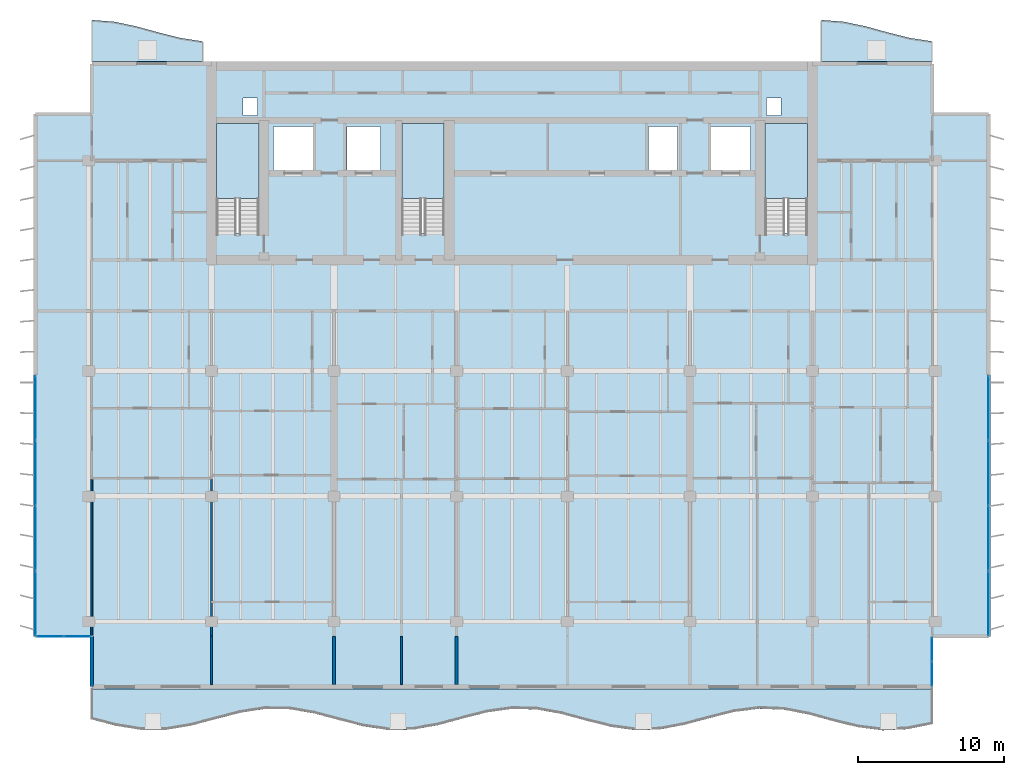
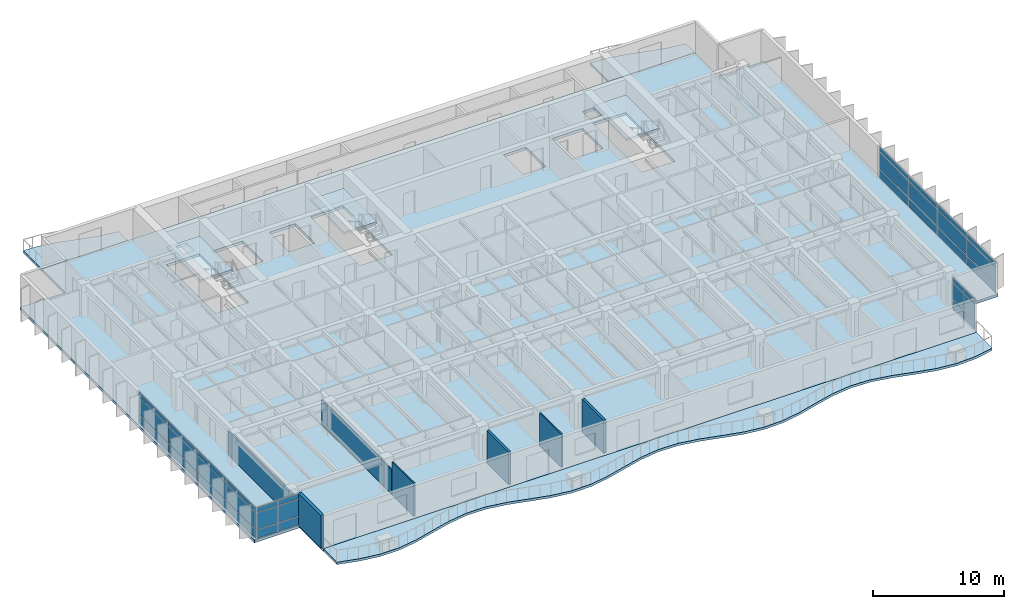
# One storey, part 7 of 19: 36 plates, 7 slabs, 7 walls, 7 elements without a shape of their own.
"""IFC4 building model written with IfcOpenShell, lengths in metres."""

from ifc_helpers import new_model, si_unit, direction, frame, frame_2d, origin, origin_2d, place, context, subcontext, project, spatial, polyline, rectangle, outline, extrude, material, layer, layer_set, type_object, element, aggregate, save


model = new_model("IFC4")

# Units and contexts
model_context = context("Model", 3, precision=1e-05, world=origin(), true_north=direction((0.0, 1.0)))
body_context = subcontext(model_context, "Body", "Model", "MODEL_VIEW")
ifc_project = project(units=[si_unit("LENGTHUNIT", "METRE"), si_unit("AREAUNIT", "SQUARE_METRE"), si_unit("VOLUMEUNIT", "CUBIC_METRE"), si_unit("PLANEANGLEUNIT", "RADIAN"), si_unit("MASSUNIT", "GRAM", prefix="KILO")], contexts=[model_context])

# Site, building, storey
site_placement = place(None, origin())
site = spatial("IfcSite", under=ifc_project, at=site_placement, CompositionType="ELEMENT")
building_placement = place(site_placement, origin())
building = spatial("IfcBuilding", under=site, at=building_placement, Name="Caelmar Bay Residences", CompositionType="ELEMENT")
storey_placement = place(building_placement, frame((0.0, 0.0, 191.699951171875)))
storey = spatial("IfcBuildingStorey", under=building, at=storey_placement, Name="L53", CompositionType="ELEMENT", Elevation=191.699951171875)

# Curtain wall, plates
ifc_material_1 = material(Name="Anodised bronze aluminium 6063-T6 and laminated glass", Category="aluminium")
ifc_layer_1 = layer(ifc_material_1, 0.179931640625)
ifc_layer_set_1 = layer_set([ifc_layer_1], Name="Anodised bronze aluminium 6063-T6 and laminated glass")
curtain_wall_type_1 = type_object("IfcCurtainWallType", Name="CW6-NTC", PredefinedType="NOTDEFINED", material=ifc_layer_set_1)
curtain_wall_1_placement = place(storey_placement, origin())
curtain_wall_1 = element("IfcCurtainWall", 1, at=curtain_wall_1_placement, inside=storey, type_object=curtain_wall_type_1, Name="CW6 curtain wall L53", PredefinedType="NOTDEFINED")
ifc_material_2 = material(Name="Bronze-tinted laminated low-E hurricane glass 28 mm", Category="glass")
ifc_layer_2 = layer(ifc_material_2, 0.028076171875)
ifc_layer_set_2 = layer_set([ifc_layer_2], Name="Bronze-tinted laminated low-E hurricane glass 28 mm")
plate_type = type_object("IfcPlateType", Name="CWP-GLZ28", PredefinedType="CURTAIN_PANEL", material=ifc_layer_set_2)
plate_1_placement = place(storey_placement, frame((7.232421875, 11.199951171875, 0.080078125), z_axis=(0.0, 0.0, 1.0), x_axis=(1.0, 0.0, 0.0)))
plate_1 = element("IfcPlate", 2, at=plate_1_placement, type_object=plate_type, Name="CW6 panel 1.1", PredefinedType="CURTAIN_PANEL", context=body_context, shape_type="SweptSolid", body=[
    extrude(rectangle(XDim=1.804931640625, YDim=0.028076171875, at=origin_2d()), origin(), (0.0, 0.0, 1.0), 0.780029296875),
])
plate_2_placement = place(storey_placement, frame((7.232421875, 11.199951171875, 0.93994140625), z_axis=(0.0, 0.0, 1.0), x_axis=(1.0, 0.0, 0.0)))
plate_2 = element("IfcPlate", 3, at=plate_2_placement, type_object=plate_type, Name="CW6 panel 1.2", PredefinedType="CURTAIN_PANEL", context=body_context, shape_type="SweptSolid", body=[
    extrude(rectangle(XDim=1.804931640625, YDim=0.028076171875, at=origin_2d()), origin(), (0.0, 0.0, 1.0), 1.52001953125),
])
plate_3_placement = place(storey_placement, frame((7.232421875, 11.199951171875, 2.5400390625), z_axis=(0.0, 0.0, 1.0), x_axis=(1.0, 0.0, 0.0)))
plate_3 = element("IfcPlate", 4, at=plate_3_placement, type_object=plate_type, Name="CW6 panel 1.3", PredefinedType="CURTAIN_PANEL", context=body_context, shape_type="SweptSolid", body=[
    extrude(rectangle(XDim=1.804931640625, YDim=0.028076171875, at=origin_2d()), origin(), (0.0, 0.0, 1.0), 0.429931640625),
])
plate_4_placement = place(storey_placement, frame((9.117431640625, 11.199951171875, 0.080078125), z_axis=(0.0, 0.0, 1.0), x_axis=(1.0, 0.0, 0.0)))
plate_4 = element("IfcPlate", 5, at=plate_4_placement, type_object=plate_type, Name="CW6 panel 2.1", PredefinedType="CURTAIN_PANEL", context=body_context, shape_type="SweptSolid", body=[
    extrude(rectangle(XDim=1.804931640625, YDim=0.028076171875, at=origin_2d()), origin(), (0.0, 0.0, 1.0), 0.780029296875),
])
plate_5_placement = place(storey_placement, frame((9.117431640625, 11.199951171875, 0.93994140625), z_axis=(0.0, 0.0, 1.0), x_axis=(1.0, 0.0, 0.0)))
plate_5 = element("IfcPlate", 6, at=plate_5_placement, type_object=plate_type, Name="CW6 panel 2.2", PredefinedType="CURTAIN_PANEL", context=body_context, shape_type="SweptSolid", body=[
    extrude(rectangle(XDim=1.804931640625, YDim=0.028076171875, at=origin_2d()), origin(), (0.0, 0.0, 1.0), 1.52001953125),
])
plate_6_placement = place(storey_placement, frame((9.117431640625, 11.199951171875, 2.5400390625), z_axis=(0.0, 0.0, 1.0), x_axis=(1.0, 0.0, 0.0)))
plate_6 = element("IfcPlate", 7, at=plate_6_placement, type_object=plate_type, Name="CW6 panel 2.3", PredefinedType="CURTAIN_PANEL", context=body_context, shape_type="SweptSolid", body=[
    extrude(rectangle(XDim=1.804931640625, YDim=0.028076171875, at=origin_2d()), origin(), (0.0, 0.0, 1.0), 0.429931640625),
])
aggregate(curtain_wall_1, [plate_1, plate_2, plate_3, plate_4, plate_5, plate_6])

curtain_wall_2_placement = place(storey_placement, origin())
curtain_wall_2 = element("IfcCurtainWall", 8, at=curtain_wall_2_placement, inside=storey, type_object=curtain_wall_type_1, Name="CW6 curtain wall L53", PredefinedType="NOTDEFINED")
plate_7_placement = place(storey_placement, frame((67.699951171875, 8.632568359375, 0.080078125), z_axis=(0.0, 0.0, 1.0), x_axis=(0.0, 1.0, 0.0)))
plate_7 = element("IfcPlate", 9, at=plate_7_placement, type_object=plate_type, Name="CW6 panel 1.1", PredefinedType="CURTAIN_PANEL", context=body_context, shape_type="SweptSolid", body=[
    extrude(rectangle(XDim=1.60498046875, YDim=0.028076171875, at=origin_2d()), origin(), (0.0, 0.0, 1.0), 0.780029296875),
])
plate_8_placement = place(storey_placement, frame((67.699951171875, 8.632568359375, 0.93994140625), z_axis=(0.0, 0.0, 1.0), x_axis=(0.0, 1.0, 0.0)))
plate_8 = element("IfcPlate", 10, at=plate_8_placement, type_object=plate_type, Name="CW6 panel 1.2", PredefinedType="CURTAIN_PANEL", context=body_context, shape_type="SweptSolid", body=[
    extrude(rectangle(XDim=1.60498046875, YDim=0.028076171875, at=origin_2d()), origin(), (0.0, 0.0, 1.0), 1.52001953125),
])
plate_9_placement = place(storey_placement, frame((67.699951171875, 8.632568359375, 2.5400390625), z_axis=(0.0, 0.0, 1.0), x_axis=(0.0, 1.0, 0.0)))
plate_9 = element("IfcPlate", 11, at=plate_9_placement, type_object=plate_type, Name="CW6 panel 1.3", PredefinedType="CURTAIN_PANEL", context=body_context, shape_type="SweptSolid", body=[
    extrude(rectangle(XDim=1.60498046875, YDim=0.028076171875, at=origin_2d()), origin(), (0.0, 0.0, 1.0), 0.429931640625),
])
plate_10_placement = place(storey_placement, frame((67.699951171875, 10.3173828125, 0.080078125), z_axis=(0.0, 0.0, 1.0), x_axis=(0.0, 1.0, 0.0)))
plate_10 = element("IfcPlate", 12, at=plate_10_placement, type_object=plate_type, Name="CW6 panel 2.1", PredefinedType="CURTAIN_PANEL", context=body_context, shape_type="SweptSolid", body=[
    extrude(rectangle(XDim=1.60498046875, YDim=0.028076171875, at=origin_2d()), origin(), (0.0, 0.0, 1.0), 0.780029296875),
])
plate_11_placement = place(storey_placement, frame((67.699951171875, 10.3173828125, 0.93994140625), z_axis=(0.0, 0.0, 1.0), x_axis=(0.0, 1.0, 0.0)))
plate_11 = element("IfcPlate", 13, at=plate_11_placement, type_object=plate_type, Name="CW6 panel 2.2", PredefinedType="CURTAIN_PANEL", context=body_context, shape_type="SweptSolid", body=[
    extrude(rectangle(XDim=1.60498046875, YDim=0.028076171875, at=origin_2d()), origin(), (0.0, 0.0, 1.0), 1.52001953125),
])
plate_12_placement = place(storey_placement, frame((67.699951171875, 10.3173828125, 2.5400390625), z_axis=(0.0, 0.0, 1.0), x_axis=(0.0, 1.0, 0.0)))
plate_12 = element("IfcPlate", 14, at=plate_12_placement, type_object=plate_type, Name="CW6 panel 2.3", PredefinedType="CURTAIN_PANEL", context=body_context, shape_type="SweptSolid", body=[
    extrude(rectangle(XDim=1.60498046875, YDim=0.028076171875, at=origin_2d()), origin(), (0.0, 0.0, 1.0), 0.429931640625),
])
aggregate(curtain_wall_2, [plate_7, plate_8, plate_9, plate_10, plate_11, plate_12])

ifc_layer_3 = layer(ifc_material_1, 0.179931640625)
ifc_layer_set_3 = layer_set([ifc_layer_3], Name="Anodised bronze aluminium 6063-T6 and laminated glass")
curtain_wall_type_2 = type_object("IfcCurtainWallType", Name="CW4-Z3", PredefinedType="NOTDEFINED", material=ifc_layer_set_3)
curtain_wall_3_placement = place(storey_placement, origin())
curtain_wall_3 = element("IfcCurtainWall", 15, at=curtain_wall_3_placement, inside=storey, type_object=curtain_wall_type_2, Name="CW4 curtain wall L53", PredefinedType="NOTDEFINED")
plate_13_placement = place(storey_placement, frame((6.25, 13.45751953125, 0.080078125), z_axis=(0.0, 0.0, 1.0), x_axis=(0.0, 1.0, 0.0)))
plate_13 = element("IfcPlate", 16, at=plate_13_placement, type_object=plate_type, Name="CW4 panel 1.1", PredefinedType="CURTAIN_PANEL", context=body_context, shape_type="SweptSolid", body=[
    extrude(rectangle(XDim=4.35498046875, YDim=0.028076171875, at=origin_2d()), origin(), (0.0, 0.0, 1.0), 0.780029296875),
])
plate_14_placement = place(storey_placement, frame((6.25, 13.45751953125, 0.93994140625), z_axis=(0.0, 0.0, 1.0), x_axis=(0.0, 1.0, 0.0)))
plate_14 = element("IfcPlate", 17, at=plate_14_placement, type_object=plate_type, Name="CW4 panel 1.2", PredefinedType="CURTAIN_PANEL", context=body_context, shape_type="SweptSolid", body=[
    extrude(rectangle(XDim=4.35498046875, YDim=0.028076171875, at=origin_2d()), origin(), (0.0, 0.0, 1.0), 1.52001953125),
])
plate_15_placement = place(storey_placement, frame((6.25, 13.45751953125, 2.5400390625), z_axis=(0.0, 0.0, 1.0), x_axis=(0.0, 1.0, 0.0)))
plate_15 = element("IfcPlate", 18, at=plate_15_placement, type_object=plate_type, Name="CW4 panel 1.3", PredefinedType="CURTAIN_PANEL", context=body_context, shape_type="SweptSolid", body=[
    extrude(rectangle(XDim=4.35498046875, YDim=0.028076171875, at=origin_2d()), origin(), (0.0, 0.0, 1.0), 0.429931640625),
])
plate_16_placement = place(storey_placement, frame((6.25, 17.91259765625, 0.080078125), z_axis=(0.0, 0.0, 1.0), x_axis=(0.0, 1.0, 0.0)))
plate_16 = element("IfcPlate", 19, at=plate_16_placement, type_object=plate_type, Name="CW4 panel 2.1", PredefinedType="CURTAIN_PANEL", context=body_context, shape_type="SweptSolid", body=[
    extrude(rectangle(XDim=4.39501953125, YDim=0.028076171875, at=origin_2d()), origin(), (0.0, 0.0, 1.0), 0.780029296875),
])
plate_17_placement = place(storey_placement, frame((6.25, 17.91259765625, 0.93994140625), z_axis=(0.0, 0.0, 1.0), x_axis=(0.0, 1.0, 0.0)))
plate_17 = element("IfcPlate", 20, at=plate_17_placement, type_object=plate_type, Name="CW4 panel 2.2", PredefinedType="CURTAIN_PANEL", context=body_context, shape_type="SweptSolid", body=[
    extrude(rectangle(XDim=4.39501953125, YDim=0.028076171875, at=origin_2d()), origin(), (0.0, 0.0, 1.0), 1.52001953125),
])
plate_18_placement = place(storey_placement, frame((6.25, 17.91259765625, 2.5400390625), z_axis=(0.0, 0.0, 1.0), x_axis=(0.0, 1.0, 0.0)))
plate_18 = element("IfcPlate", 21, at=plate_18_placement, type_object=plate_type, Name="CW4 panel 2.3", PredefinedType="CURTAIN_PANEL", context=body_context, shape_type="SweptSolid", body=[
    extrude(rectangle(XDim=4.39501953125, YDim=0.028076171875, at=origin_2d()), origin(), (0.0, 0.0, 1.0), 0.429931640625),
])
plate_19_placement = place(storey_placement, frame((6.25, 22.387451171875, 0.080078125), z_axis=(0.0, 0.0, 1.0), x_axis=(0.0, 1.0, 0.0)))
plate_19 = element("IfcPlate", 22, at=plate_19_placement, type_object=plate_type, Name="CW4 panel 3.1", PredefinedType="CURTAIN_PANEL", context=body_context, shape_type="SweptSolid", body=[
    extrude(rectangle(XDim=4.39501953125, YDim=0.028076171875, at=origin_2d()), origin(), (0.0, 0.0, 1.0), 0.780029296875),
])
plate_20_placement = place(storey_placement, frame((6.25, 22.387451171875, 0.93994140625), z_axis=(0.0, 0.0, 1.0), x_axis=(0.0, 1.0, 0.0)))
plate_20 = element("IfcPlate", 23, at=plate_20_placement, type_object=plate_type, Name="CW4 panel 3.2", PredefinedType="CURTAIN_PANEL", context=body_context, shape_type="SweptSolid", body=[
    extrude(rectangle(XDim=4.39501953125, YDim=0.028076171875, at=origin_2d()), origin(), (0.0, 0.0, 1.0), 1.52001953125),
])
plate_21_placement = place(storey_placement, frame((6.25, 22.387451171875, 2.5400390625), z_axis=(0.0, 0.0, 1.0), x_axis=(0.0, 1.0, 0.0)))
plate_21 = element("IfcPlate", 24, at=plate_21_placement, type_object=plate_type, Name="CW4 panel 3.3", PredefinedType="CURTAIN_PANEL", context=body_context, shape_type="SweptSolid", body=[
    extrude(rectangle(XDim=4.39501953125, YDim=0.028076171875, at=origin_2d()), origin(), (0.0, 0.0, 1.0), 0.429931640625),
])
plate_22_placement = place(storey_placement, frame((6.25, 26.842529296875, 0.080078125), z_axis=(0.0, 0.0, 1.0), x_axis=(0.0, 1.0, 0.0)))
plate_22 = element("IfcPlate", 25, at=plate_22_placement, type_object=plate_type, Name="CW4 panel 4.1", PredefinedType="CURTAIN_PANEL", context=body_context, shape_type="SweptSolid", body=[
    extrude(rectangle(XDim=4.35498046875, YDim=0.028076171875, at=origin_2d()), origin(), (0.0, 0.0, 1.0), 0.780029296875),
])
plate_23_placement = place(storey_placement, frame((6.25, 26.842529296875, 0.93994140625), z_axis=(0.0, 0.0, 1.0), x_axis=(0.0, 1.0, 0.0)))
plate_23 = element("IfcPlate", 26, at=plate_23_placement, type_object=plate_type, Name="CW4 panel 4.2", PredefinedType="CURTAIN_PANEL", context=body_context, shape_type="SweptSolid", body=[
    extrude(rectangle(XDim=4.35498046875, YDim=0.028076171875, at=origin_2d()), origin(), (0.0, 0.0, 1.0), 1.52001953125),
])
plate_24_placement = place(storey_placement, frame((6.25, 26.842529296875, 2.5400390625), z_axis=(0.0, 0.0, 1.0), x_axis=(0.0, 1.0, 0.0)))
plate_24 = element("IfcPlate", 27, at=plate_24_placement, type_object=plate_type, Name="CW4 panel 4.3", PredefinedType="CURTAIN_PANEL", context=body_context, shape_type="SweptSolid", body=[
    extrude(rectangle(XDim=4.35498046875, YDim=0.028076171875, at=origin_2d()), origin(), (0.0, 0.0, 1.0), 0.429931640625),
])
aggregate(curtain_wall_3, [plate_13, plate_14, plate_15, plate_16, plate_17, plate_18, plate_19, plate_20, plate_21, plate_22, plate_23, plate_24])

curtain_wall_4_placement = place(storey_placement, origin())
curtain_wall_4 = element("IfcCurtainWall", 28, at=curtain_wall_4_placement, inside=storey, type_object=curtain_wall_type_2, Name="CW4 curtain wall L53", PredefinedType="NOTDEFINED")
plate_25_placement = place(storey_placement, frame((71.550048828125, 26.842529296875, 0.080078125), z_axis=(0.0, 0.0, 1.0), x_axis=(0.0, -1.0, 0.0)))
plate_25 = element("IfcPlate", 29, at=plate_25_placement, type_object=plate_type, Name="CW4 panel 1.1", PredefinedType="CURTAIN_PANEL", context=body_context, shape_type="SweptSolid", body=[
    extrude(rectangle(XDim=4.35498046875, YDim=0.028076171875, at=origin_2d()), origin(), (0.0, 0.0, 1.0), 0.780029296875),
])
plate_26_placement = place(storey_placement, frame((71.550048828125, 26.842529296875, 0.93994140625), z_axis=(0.0, 0.0, 1.0), x_axis=(0.0, -1.0, 0.0)))
plate_26 = element("IfcPlate", 30, at=plate_26_placement, type_object=plate_type, Name="CW4 panel 1.2", PredefinedType="CURTAIN_PANEL", context=body_context, shape_type="SweptSolid", body=[
    extrude(rectangle(XDim=4.35498046875, YDim=0.028076171875, at=origin_2d()), origin(), (0.0, 0.0, 1.0), 1.52001953125),
])
plate_27_placement = place(storey_placement, frame((71.550048828125, 26.842529296875, 2.5400390625), z_axis=(0.0, 0.0, 1.0), x_axis=(0.0, -1.0, 0.0)))
plate_27 = element("IfcPlate", 31, at=plate_27_placement, type_object=plate_type, Name="CW4 panel 1.3", PredefinedType="CURTAIN_PANEL", context=body_context, shape_type="SweptSolid", body=[
    extrude(rectangle(XDim=4.35498046875, YDim=0.028076171875, at=origin_2d()), origin(), (0.0, 0.0, 1.0), 0.429931640625),
])
plate_28_placement = place(storey_placement, frame((71.550048828125, 22.387451171875, 0.080078125), z_axis=(0.0, 0.0, 1.0), x_axis=(0.0, -1.0, 0.0)))
plate_28 = element("IfcPlate", 32, at=plate_28_placement, type_object=plate_type, Name="CW4 panel 2.1", PredefinedType="CURTAIN_PANEL", context=body_context, shape_type="SweptSolid", body=[
    extrude(rectangle(XDim=4.39501953125, YDim=0.028076171875, at=origin_2d()), origin(), (0.0, 0.0, 1.0), 0.780029296875),
])
plate_29_placement = place(storey_placement, frame((71.550048828125, 22.387451171875, 0.93994140625), z_axis=(0.0, 0.0, 1.0), x_axis=(0.0, -1.0, 0.0)))
plate_29 = element("IfcPlate", 33, at=plate_29_placement, type_object=plate_type, Name="CW4 panel 2.2", PredefinedType="CURTAIN_PANEL", context=body_context, shape_type="SweptSolid", body=[
    extrude(rectangle(XDim=4.39501953125, YDim=0.028076171875, at=origin_2d()), origin(), (0.0, 0.0, 1.0), 1.52001953125),
])
plate_30_placement = place(storey_placement, frame((71.550048828125, 22.387451171875, 2.5400390625), z_axis=(0.0, 0.0, 1.0), x_axis=(0.0, -1.0, 0.0)))
plate_30 = element("IfcPlate", 34, at=plate_30_placement, type_object=plate_type, Name="CW4 panel 2.3", PredefinedType="CURTAIN_PANEL", context=body_context, shape_type="SweptSolid", body=[
    extrude(rectangle(XDim=4.39501953125, YDim=0.028076171875, at=origin_2d()), origin(), (0.0, 0.0, 1.0), 0.429931640625),
])
plate_31_placement = place(storey_placement, frame((71.550048828125, 17.91259765625, 0.080078125), z_axis=(0.0, 0.0, 1.0), x_axis=(0.0, -1.0, 0.0)))
plate_31 = element("IfcPlate", 35, at=plate_31_placement, type_object=plate_type, Name="CW4 panel 3.1", PredefinedType="CURTAIN_PANEL", context=body_context, shape_type="SweptSolid", body=[
    extrude(rectangle(XDim=4.39501953125, YDim=0.028076171875, at=origin_2d()), origin(), (0.0, 0.0, 1.0), 0.780029296875),
])
plate_32_placement = place(storey_placement, frame((71.550048828125, 17.91259765625, 0.93994140625), z_axis=(0.0, 0.0, 1.0), x_axis=(0.0, -1.0, 0.0)))
plate_32 = element("IfcPlate", 36, at=plate_32_placement, type_object=plate_type, Name="CW4 panel 3.2", PredefinedType="CURTAIN_PANEL", context=body_context, shape_type="SweptSolid", body=[
    extrude(rectangle(XDim=4.39501953125, YDim=0.028076171875, at=origin_2d()), origin(), (0.0, 0.0, 1.0), 1.52001953125),
])
plate_33_placement = place(storey_placement, frame((71.550048828125, 17.91259765625, 2.5400390625), z_axis=(0.0, 0.0, 1.0), x_axis=(0.0, -1.0, 0.0)))
plate_33 = element("IfcPlate", 37, at=plate_33_placement, type_object=plate_type, Name="CW4 panel 3.3", PredefinedType="CURTAIN_PANEL", context=body_context, shape_type="SweptSolid", body=[
    extrude(rectangle(XDim=4.39501953125, YDim=0.028076171875, at=origin_2d()), origin(), (0.0, 0.0, 1.0), 0.429931640625),
])
plate_34_placement = place(storey_placement, frame((71.550048828125, 13.45751953125, 0.080078125), z_axis=(0.0, 0.0, 1.0), x_axis=(0.0, -1.0, 0.0)))
plate_34 = element("IfcPlate", 38, at=plate_34_placement, type_object=plate_type, Name="CW4 panel 4.1", PredefinedType="CURTAIN_PANEL", context=body_context, shape_type="SweptSolid", body=[
    extrude(rectangle(XDim=4.35498046875, YDim=0.028076171875, at=origin_2d()), origin(), (0.0, 0.0, 1.0), 0.780029296875),
])
plate_35_placement = place(storey_placement, frame((71.550048828125, 13.45751953125, 0.93994140625), z_axis=(0.0, 0.0, 1.0), x_axis=(0.0, -1.0, 0.0)))
plate_35 = element("IfcPlate", 39, at=plate_35_placement, type_object=plate_type, Name="CW4 panel 4.2", PredefinedType="CURTAIN_PANEL", context=body_context, shape_type="SweptSolid", body=[
    extrude(rectangle(XDim=4.35498046875, YDim=0.028076171875, at=origin_2d()), origin(), (0.0, 0.0, 1.0), 1.52001953125),
])
plate_36_placement = place(storey_placement, frame((71.550048828125, 13.45751953125, 2.5400390625), z_axis=(0.0, 0.0, 1.0), x_axis=(0.0, -1.0, 0.0)))
plate_36 = element("IfcPlate", 40, at=plate_36_placement, type_object=plate_type, Name="CW4 panel 4.3", PredefinedType="CURTAIN_PANEL", context=body_context, shape_type="SweptSolid", body=[
    extrude(rectangle(XDim=4.35498046875, YDim=0.028076171875, at=origin_2d()), origin(), (0.0, 0.0, 1.0), 0.429931640625),
])
aggregate(curtain_wall_4, [plate_25, plate_26, plate_27, plate_28, plate_29, plate_30, plate_31, plate_32, plate_33, plate_34, plate_35, plate_36])

# Slabs
ifc_material_3 = material(Name="Concrete f'c 40 MPa (6,000 psi)", Category="concrete")
ifc_layer_4 = layer(ifc_material_3, 0.219970703125)
ifc_layer_set_4 = layer_set([ifc_layer_4], Name="Concrete f'c 40 MPa (6,000 psi)")
slab_type_1 = type_object("IfcSlabType", Name="SLB-BAL-220", PredefinedType="FLOOR", material=ifc_layer_set_4)
slab_1_placement = place(storey_placement, frame((0.0, 0.0, -0.219970703125)))
element("IfcSlab", 41, at=slab_1_placement, inside=storey, type_object=slab_type_1, Name="L53 Sinusoidal Tree-Balcony Slab south", PredefinedType="FLOOR", context=body_context, shape_type="SweptSolid", body=[
    extrude(outline(polyline([(10.10009765625, 5.5), (11.794189453125, 5.055908203125), (13.48828125, 4.7841796875), (15.182373046875, 4.79052734375), (16.87646484375, 5.072021484375), (18.570556640625, 5.519775390625), (20.2646484375, 5.959716796875), (21.958740234375, 6.221435546875), (23.65283203125, 6.202880859375), (25.34716796875, 5.91162109375), (27.041259765625, 5.46044921875), (28.7353515625, 5.024658203125), (30.429443359375, 4.7734375), (32.12353515625, 4.80419921875), (33.817626953125, 5.105224609375), (35.51171875, 5.559326171875), (37.205810546875, 5.990478515625), (38.89990234375, 6.231201171875), (40.593994140625, 6.18798828125), (42.2880859375, 5.8779296875), (43.982421875, 5.4208984375), (45.676513671875, 4.99462890625), (47.37060546875, 4.7646484375), (49.064697265625, 4.820068359375), (50.7587890625, 5.139404296875), (52.452880859375, 5.5986328125), (54.147216796875, 6.019775390625), (55.84130859375, 6.239013671875), (57.535400390625, 6.17138671875), (59.2294921875, 5.843017578125), (60.923583984375, 5.381591796875), (62.61767578125, 4.96630859375), (64.311767578125, 4.7578125), (66.005859375, 4.837646484375), (67.699951171875, 5.174560546875), (67.699951171875, 7.60009765625), (10.10009765625, 7.60009765625), (10.10009765625, 5.5)])), origin(), (0.0, 0.0, 1.0), 0.219970703125),
])
slab_2_placement = place(storey_placement, frame((0.0, 0.0, -0.219970703125)))
element("IfcSlab", 42, at=slab_2_placement, inside=storey, type_object=slab_type_1, Name="L53 Sinusoidal Tree-Balcony Slab north_west", PredefinedType="FLOOR", context=body_context, shape_type="SweptSolid", body=[
    extrude(outline(polyline([(10.10009765625, 50.60009765625), (17.699951171875, 50.60009765625), (17.699951171875, 51.9833984375), (16.179931640625, 52.215087890625), (14.659912109375, 52.599365234375), (13.139892578125, 53.015380859375), (11.6201171875, 53.33203125), (10.10009765625, 53.449951171875), (10.10009765625, 50.60009765625)])), origin(), (0.0, 0.0, 1.0), 0.219970703125),
])
slab_3_placement = place(storey_placement, frame((0.0, 0.0, -0.219970703125)))
element("IfcSlab", 43, at=slab_3_placement, inside=storey, type_object=slab_type_1, Name="L53 Sinusoidal Tree-Balcony Slab north_east", PredefinedType="FLOOR", context=body_context, shape_type="SweptSolid", body=[
    extrude(outline(polyline([(60.10009765625, 50.60009765625), (67.699951171875, 50.60009765625), (67.699951171875, 51.9833984375), (66.179931640625, 52.215087890625), (64.659912109375, 52.599365234375), (63.139892578125, 53.015380859375), (61.6201171875, 53.33203125), (60.10009765625, 53.449951171875), (60.10009765625, 50.60009765625)])), origin(), (0.0, 0.0, 1.0), 0.219970703125),
])

# Stair, slab
stair_type = type_object("IfcStairType", Name="ST-TYP-165", PredefinedType="HALF_TURN_STAIR", material=ifc_material_3)
stair_1_placement = place(storey_placement, origin())
stair_1 = element("IfcStair", 44, at=stair_1_placement, inside=storey, type_object=stair_type, Name="L53 West Smokeproof Exit Stair ST1", PredefinedType="HALF_TURN_STAIR")
ifc_layer_5 = layer(ifc_material_3, 0.199951171875)
ifc_layer_set_5 = layer_set([ifc_layer_5], Name="Concrete f'c 40 MPa (6,000 psi)")
slab_type_2 = type_object("IfcSlabType", Name="SLB-LND-200", PredefinedType="LANDING", material=ifc_layer_set_5)
slab_4_placement = place(storey_placement, frame((0.0, 0.0, 1.449951171875)))
slab_4 = element("IfcSlab", 45, at=slab_4_placement, type_object=slab_type_2, Name="ST1 landing 1", PredefinedType="LANDING", context=body_context, shape_type="SweptSolid", body=[
    extrude(outline(polyline([(21.550048828125, 41.219970703125), (21.550048828125, 46.35009765625), (18.64990234375, 46.35009765625), (18.64990234375, 41.219970703125), (21.550048828125, 41.219970703125)])), origin(), (0.0, 0.0, 1.0), 0.2001953125),
])
aggregate(stair_1, [slab_4])

stair_2_placement = place(storey_placement, origin())
stair_2 = element("IfcStair", 46, at=stair_2_placement, inside=storey, type_object=stair_type, Name="L53 East Smokeproof Exit Stair ST2", PredefinedType="HALF_TURN_STAIR")
slab_5_placement = place(storey_placement, frame((0.0, 0.0, 1.449951171875)))
slab_5 = element("IfcSlab", 47, at=slab_5_placement, type_object=slab_type_2, Name="ST2 landing 1", PredefinedType="LANDING", context=body_context, shape_type="SweptSolid", body=[
    extrude(outline(polyline([(59.14990234375, 41.219970703125), (59.14990234375, 46.35009765625), (56.25, 46.35009765625), (56.25, 41.219970703125), (59.14990234375, 41.219970703125)])), origin(), (0.0, 0.0, 1.0), 0.2001953125),
])
aggregate(stair_2, [slab_5])

stair_3_placement = place(storey_placement, origin())
stair_3 = element("IfcStair", 48, at=stair_3_placement, inside=storey, type_object=stair_type, Name="L53 Central Smokeproof Exit Stair ST3", PredefinedType="HALF_TURN_STAIR")
slab_6_placement = place(storey_placement, frame((0.0, 0.0, 1.449951171875)))
slab_6 = element("IfcSlab", 49, at=slab_6_placement, type_object=slab_type_2, Name="ST3 landing 1", PredefinedType="LANDING", context=body_context, shape_type="SweptSolid", body=[
    extrude(outline(polyline([(34.25, 41.219970703125), (34.25, 46.35009765625), (31.35009765625, 46.35009765625), (31.35009765625, 41.219970703125), (34.25, 41.219970703125)])), origin(), (0.0, 0.0, 1.0), 0.2001953125),
])
aggregate(stair_3, [slab_6])

# Slab
ifc_layer_6 = layer(ifc_material_3, 0.25)
ifc_layer_set_6 = layer_set([ifc_layer_6], Name="Concrete f'c 40 MPa (6,000 psi)")
slab_type_3 = type_object("IfcSlabType", Name="SLB-RES-250", PredefinedType="FLOOR", material=ifc_layer_set_6)
slab_7_placement = place(storey_placement, frame((0.0, 0.0, -0.25)))
element("IfcSlab", 50, at=slab_7_placement, inside=storey, type_object=slab_type_3, Name="L53 Structural Floor Slab", PredefinedType="FLOOR", context=body_context, shape_type="SweptSolid", body=[
    extrude(outline(polyline([(10.10009765625, 7.60009765625), (67.699951171875, 7.60009765625), (67.699951171875, 11.199951171875), (71.699951171875, 11.199951171875), (71.699951171875, 47.0), (67.699951171875, 47.0), (67.699951171875, 50.60009765625), (10.10009765625, 50.60009765625), (10.10009765625, 47.0), (6.10009765625, 47.0), (6.10009765625, 11.199951171875), (10.10009765625, 11.199951171875), (10.10009765625, 7.60009765625)]), holes=[polyline([(18.64990234375, 38.85009765625), (21.550048828125, 38.85009765625), (21.550048828125, 46.35009765625), (18.64990234375, 46.35009765625), (18.64990234375, 38.85009765625)]), polyline([(56.25, 38.85009765625), (59.14990234375, 38.85009765625), (59.14990234375, 46.35009765625), (56.25, 46.35009765625), (56.25, 38.85009765625)]), polyline([(31.35009765625, 38.85009765625), (34.25, 38.85009765625), (34.25, 46.35009765625), (31.35009765625, 46.35009765625), (31.35009765625, 38.85009765625)]), polyline([(22.550048828125, 43.050048828125), (25.25, 43.050048828125), (25.25, 46.14990234375), (22.550048828125, 46.14990234375), (22.550048828125, 43.050048828125)]), polyline([(52.550048828125, 43.050048828125), (55.25, 43.050048828125), (55.25, 46.14990234375), (52.550048828125, 46.14990234375), (52.550048828125, 43.050048828125)]), polyline([(48.25, 43.14990234375), (50.25, 43.14990234375), (50.25, 46.14990234375), (48.25, 46.14990234375), (48.25, 43.14990234375)]), polyline([(27.60009765625, 43.14990234375), (29.89990234375, 43.14990234375), (29.89990234375, 46.14990234375), (27.60009765625, 46.14990234375), (27.60009765625, 43.14990234375)]), polyline([(20.449951171875, 46.89990234375), (21.449951171875, 46.89990234375), (21.449951171875, 48.10009765625), (20.449951171875, 48.10009765625), (20.449951171875, 46.89990234375)]), polyline([(56.35009765625, 46.89990234375), (57.35009765625, 46.89990234375), (57.35009765625, 48.10009765625), (56.35009765625, 48.10009765625), (56.35009765625, 46.89990234375)])]), origin(), (0.0, 0.0, 1.0), 0.25),
])

# Walls
ifc_material_4 = material(Name="Precast concrete f'c 40 MPa (6,000 psi)", Category="concrete")
ifc_layer_7 = layer(ifc_material_4, 0.25)
ifc_layer_set_7 = layer_set([ifc_layer_7], Name="Precast concrete f'c 40 MPa (6,000 psi)")
wall_type_1 = type_object("IfcWallType", Name="W-EXT-250", PredefinedType="ELEMENTEDWALL", material=ifc_layer_set_7)
wall_1_placement = place(storey_placement, frame((10.10009765625, 11.199951171875, 0.0), z_axis=(0.0, 0.0, 1.0), x_axis=(0.0, -1.0, 0.0)))
element("IfcWall", 51, at=wall_1_placement, inside=storey, type_object=wall_type_1, Name="L53 SW Notch Return Wall", PredefinedType="ELEMENTEDWALL", context=body_context, shape_type="SweptSolid", body=[
    extrude(rectangle(XDim=3.449951171875, YDim=0.25, at=frame_2d((1.72509765625, 0.0))), origin(), (0.0, 0.0, 1.0), 3.050048828125),
])
ifc_material_5 = material(Name="Acoustic metal-stud gypsum partition 120 mm")
ifc_layer_8 = layer(ifc_material_5, 0.1201171875)
ifc_layer_set_8 = layer_set([ifc_layer_8], Name="Acoustic metal-stud gypsum partition 120 mm")
wall_type_2 = type_object("IfcWallType", Name="W-PRT-120", PredefinedType="PARTITIONING", material=ifc_layer_set_8)
wall_2_placement = place(storey_placement, frame((10.10009765625, 11.284912109375, 0.0), z_axis=(0.0, 0.0, 1.0), x_axis=(0.0, 1.0, 0.0)))
element("IfcWall", 52, at=wall_2_placement, inside=storey, type_object=wall_type_2, Name="L53 Partition Wall V001", PredefinedType="PARTITIONING", context=body_context, shape_type="SweptSolid", body=[
    extrude(rectangle(XDim=10.68505859375, YDim=0.1201171875, at=frame_2d((5.342529296875, 0.0))), origin(), (0.0, 0.0, 1.0), 2.262939453125),
])
wall_3_placement = place(storey_placement, frame((18.300048828125, 7.89501953125, 0.0), z_axis=(0.0, 0.0, 1.0), x_axis=(0.0, 1.0, 0.0)))
element("IfcWall", 53, at=wall_3_placement, inside=storey, type_object=wall_type_2, Name="L53 Partition Wall V014", PredefinedType="PARTITIONING", context=body_context, shape_type="SweptSolid", body=[
    extrude(rectangle(XDim=3.304931640625, YDim=0.1201171875, at=frame_2d((1.65234375, 0.0))), origin(), (0.0, 0.0, 1.0), 3.050048828125),
])
wall_4_placement = place(storey_placement, frame((18.300048828125, 11.239990234375, 0.0), z_axis=(0.0, 0.0, 1.0), x_axis=(0.0, 1.0, 0.0)))
element("IfcWall", 54, at=wall_4_placement, inside=storey, type_object=wall_type_2, Name="L53 Partition Wall V015", PredefinedType="PARTITIONING", context=body_context, shape_type="SweptSolid", body=[
    extrude(rectangle(XDim=10.72998046875, YDim=0.1201171875, at=frame_2d((5.364990234375, 0.0))), origin(), (0.0, 0.0, 1.0), 2.262939453125),
])
wall_5_placement = place(storey_placement, frame((31.320068359375, 7.89501953125, 0.0), z_axis=(0.0, 0.0, 1.0), x_axis=(0.0, 1.0, 0.0)))
element("IfcWall", 55, at=wall_5_placement, inside=storey, type_object=wall_type_2, Name="L53 Partition Wall V032", PredefinedType="PARTITIONING", context=body_context, shape_type="SweptSolid", body=[
    extrude(rectangle(XDim=3.304931640625, YDim=0.1201171875, at=frame_2d((1.65234375, 0.0))), origin(), (0.0, 0.0, 1.0), 3.050048828125),
])
ifc_material_6 = material(Name="Acoustic twin-stud fire-rated inter-tenancy partition 200 mm")
ifc_layer_9 = layer(ifc_material_6, 0.199951171875)
ifc_layer_set_9 = layer_set([ifc_layer_9], Name="Acoustic twin-stud fire-rated inter-tenancy partition 200 mm")
wall_type_3 = type_object("IfcWallType", Name="W-PTY-200", PredefinedType="PARTITIONING", material=ifc_layer_set_9)
for number, where, z_axis, x_axis, name in (
    (56, (26.699951171875, 7.89501953125, 0.0), (0.0, 0.0, 1.0), (0.0, 1.0, 0.0), "L53 Partition Wall V027"),
    (57, (35.10009765625, 7.89501953125, 0.0), (0.0, 0.0, 1.0), (0.0, 1.0, 0.0), "L53 Partition Wall V040"),
):
    element("IfcWall", number, at=place(storey_placement, frame(where, z_axis=z_axis, x_axis=x_axis)), inside=storey, type_object=wall_type_3, Name=name, PredefinedType="PARTITIONING", context=body_context, shape_type="SweptSolid", body=[
        extrude(rectangle(XDim=3.304931640625, YDim=0.199951171875, at=frame_2d((1.65234375, 0.0))), origin(), (0.0, 0.0, 1.0), 3.050048828125),
    ])

save(model, "model.ifc")
